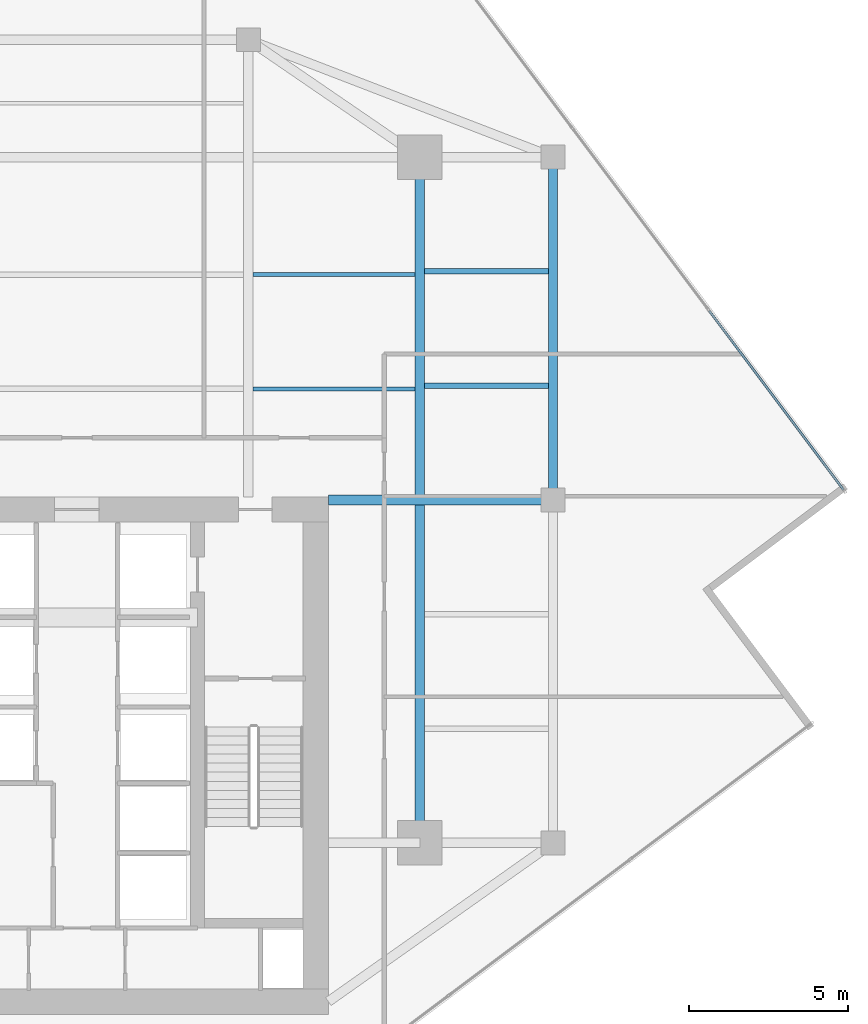
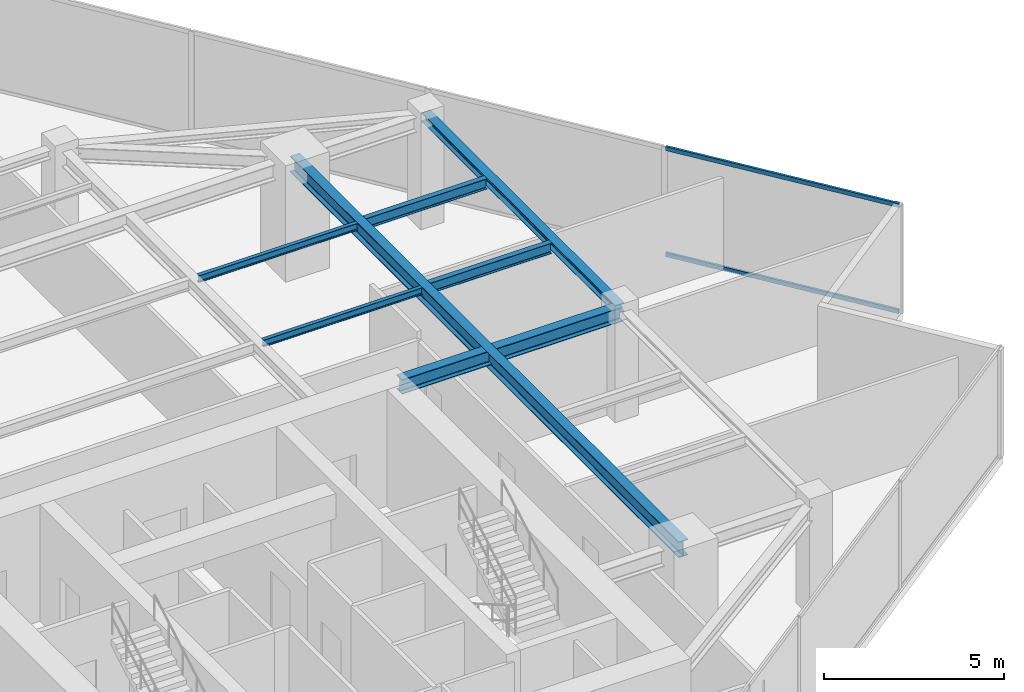
# One storey, part 9 of 21: 7 beams, 2 members, 1 element without a shape of its own.
"""IFC4 building model written with IfcOpenShell, lengths in metres."""

from ifc_helpers import new_model, si_unit, direction, frame, origin, origin_2d, place, context, subcontext, project, spatial, hollow_rectangle, i_section, extrude, source, transform, mapped, material, material_profile, profile_set, type_object, type_shapes, element, aggregate, save


model = new_model("IFC4")

# Units and contexts
model_context = context("Model", 3, precision=1e-05, world=origin(), true_north=direction((0.0, 1.0)))
body_context = subcontext(model_context, "Body", "Model", "MODEL_VIEW")
ifc_project = project(units=[si_unit("LENGTHUNIT", "METRE"), si_unit("AREAUNIT", "SQUARE_METRE"), si_unit("VOLUMEUNIT", "CUBIC_METRE"), si_unit("PLANEANGLEUNIT", "RADIAN"), si_unit("MASSUNIT", "GRAM", prefix="KILO")], contexts=[model_context])

# Site, building, storey
site_placement = place(None, origin())
site = spatial("IfcSite", under=ifc_project, at=site_placement, CompositionType="ELEMENT")
building_placement = place(site_placement, origin())
building = spatial("IfcBuilding", under=site, at=building_placement, Name="Krantzveldt Concourse Tower", CompositionType="ELEMENT")
storey_placement = place(building_placement, frame((0.0, 0.0, 267.39990234375)))
storey = spatial("IfcBuildingStorey", under=building, at=storey_placement, Name="L65", CompositionType="ELEMENT", Elevation=267.39990234375)

# Beams
ifc_material_1 = material(Name="Steel S355JR", Category="steel")
ifc_material_profile_1 = material_profile(ifc_material_1, i_section(OverallWidth=0.300048828125, OverallDepth=0.489990234375, WebThickness=0.011962890625, FlangeThickness=0.02294921875, FilletRadius=0.027099609375, at=origin_2d()), Name="Steel S355JR", Category="steel")
ifc_profile_set_1 = profile_set([ifc_material_profile_1], Name="Steel S355JR - HEA 500")
beam_type_1 = type_object("IfcBeamType", Name="BM-B-HEA500", PredefinedType="BEAM", material=ifc_profile_set_1)
shared_shape_1 = source(origin(), body_context, "Body", "SweptSolid", [
    extrude(i_section(OverallWidth=0.300048828125, OverallDepth=0.489990234375, WebThickness=0.011962890625, FlangeThickness=0.02294921875, FilletRadius=0.027099609375, at=origin_2d()), origin(), (0.0, 0.0, 1.0), 7.080078125),
])
type_shapes(beam_type_1, [shared_shape_1])
beam_1_placement = place(storey_placement, frame((43.919921875, 26.699951171875, 3.425048828125), z_axis=(1.0, 0.0, 0.0), x_axis=(0.0, 1.0, 0.0)))
element("IfcBeam", 1, at=beam_1_placement, inside=storey, type_object=beam_type_1, Name="L65 Tower Girder BG-CE2", PredefinedType="BEAM", context=body_context, shape_type="MappedRepresentation", body=[
    mapped(shared_shape_1, transform((0.0, 0.0, 0.0), x_axis=(1.0, 0.0, 0.0), y_axis=(0.0, 1.0, 0.0), z_axis=(0.0, 0.0, 1.0), scale=1.0)),
])
ifc_material_profile_2 = material_profile(ifc_material_1, i_section(OverallWidth=0.300048828125, OverallDepth=0.5400390625, WebThickness=0.012451171875, FlangeThickness=0.02392578125, FilletRadius=0.027099609375, at=origin_2d()), Name="Steel S355JR", Category="steel")
ifc_profile_set_2 = profile_set([ifc_material_profile_2], Name="Steel S355JR - HEA 550")
beam_type_2 = type_object("IfcBeamType", Name="BM-B-HEA550", PredefinedType="BEAM", material=ifc_profile_set_2)
shared_shape_2 = source(origin(), body_context, "Body", "SweptSolid", [
    extrude(i_section(OverallWidth=0.300048828125, OverallDepth=0.5400390625, WebThickness=0.012451171875, FlangeThickness=0.02392578125, FilletRadius=0.027099609375, at=origin_2d()), origin(), (0.0, 0.0, 1.0), 21.60009765625),
])
type_shapes(beam_type_2, [shared_shape_2])
beam_2_placement = place(storey_placement, frame((46.800048828125, 15.89990234375, 3.400146484375), z_axis=(0.0, 1.0, 0.0), x_axis=(-1.0, 0.0, 0.0)))
element("IfcBeam", 2, at=beam_2_placement, inside=storey, type_object=beam_type_2, Name="L65 Tower Girder BG-ME", PredefinedType="BEAM", context=body_context, shape_type="MappedRepresentation", body=[
    mapped(shared_shape_2, transform((0.0, 0.0, 0.0), x_axis=(1.0, 0.0, 0.0), y_axis=(0.0, 1.0, 0.0), z_axis=(0.0, 0.0, 1.0), scale=1.0)),
])
ifc_material_profile_3 = material_profile(ifc_material_1, i_section(OverallWidth=0.2900390625, OverallDepth=0.2900390625, WebThickness=0.008544921875, FlangeThickness=0.013916015625, FilletRadius=0.027099609375, at=origin_2d()), Name="Steel S355JR", Category="steel")
ifc_profile_set_3 = profile_set([ifc_material_profile_3], Name="Steel S355JR - HEA 300")
beam_type_3 = type_object("IfcBeamType", Name="BM-SP-HEA300", PredefinedType="SPANDREL", material=ifc_profile_set_3)
shared_shape_3 = source(origin(), body_context, "Body", "SweptSolid", [
    extrude(i_section(OverallWidth=0.2900390625, OverallDepth=0.2900390625, WebThickness=0.008544921875, FlangeThickness=0.013916015625, FilletRadius=0.027099609375, at=origin_2d()), origin(), (0.0, 0.0, 1.0), 10.800048828125),
])
type_shapes(beam_type_3, [shared_shape_3])
beam_3_placement = place(storey_placement, frame((51.0, 37.5, 3.525146484375), z_axis=(0.0, -1.0, 0.0), x_axis=(1.0, 0.0, 0.0)))
element("IfcBeam", 3, at=beam_3_placement, inside=storey, type_object=beam_type_3, Name="L65 Tower Girder SP-R06", PredefinedType="SPANDREL", context=body_context, shape_type="MappedRepresentation", body=[
    mapped(shared_shape_3, transform((0.0, 0.0, 0.0), x_axis=(1.0, 0.0, 0.0), y_axis=(0.0, 1.0, 0.0), z_axis=(0.0, 0.0, 1.0), scale=1.0)),
])
ifc_material_profile_4 = material_profile(ifc_material_1, i_section(OverallWidth=0.1201171875, OverallDepth=0.239990234375, WebThickness=0.006103515625, FlangeThickness=0.009765625, FilletRadius=0.014892578125, at=origin_2d()), Name="Steel S355JR", Category="steel")
ifc_profile_set_4 = profile_set([ifc_material_profile_4], Name="Steel S355JR - IPE 240")
beam_type_4 = type_object("IfcBeamType", Name="BM-LN-IPE240", PredefinedType="LINTEL", material=ifc_profile_set_4)
shared_shape_4 = source(origin(), body_context, "Body", "SweptSolid", [
    extrude(i_section(OverallWidth=0.1201171875, OverallDepth=0.239990234375, WebThickness=0.006103515625, FlangeThickness=0.009765625, FilletRadius=0.014892578125, at=origin_2d()), origin(), (0.0, 0.0, 1.0), 5.099853515625),
])
type_shapes(beam_type_4, [shared_shape_4])
for number, where, z_axis, x_axis, name in (
    (4, (41.550048828125, 30.199951171875, 3.550048828125), (1.0, 0.0, 0.0), (0.0, 1.0, 0.0), "L65 Secondary Floor Joist JN-E1"),
    (5, (41.550048828125, 33.800048828125, 3.550048828125), (1.0, 0.0, 0.0), (0.0, 1.0, 0.0), "L65 Secondary Floor Joist JN-E2"),
):
    element("IfcBeam", number, at=place(storey_placement, frame(where, z_axis=z_axis, x_axis=x_axis)), inside=storey, type_object=beam_type_4, Name=name, PredefinedType="LINTEL", context=body_context, shape_type="MappedRepresentation", body=[
        mapped(shared_shape_4, transform((0.0, 0.0, 0.0), x_axis=(1.0, 0.0, 0.0), y_axis=(0.0, 1.0, 0.0), z_axis=(0.0, 0.0, 1.0), scale=1.0)),
    ])
ifc_material_profile_5 = material_profile(ifc_material_1, i_section(OverallWidth=0.169921875, OverallDepth=0.360107421875, WebThickness=0.008056640625, FlangeThickness=0.0126953125, FilletRadius=0.01806640625, at=origin_2d()), Name="Steel S355JR", Category="steel")
ifc_profile_set_5 = profile_set([ifc_material_profile_5], Name="Steel S355JR - IPE 360")
beam_type_5 = type_object("IfcBeamType", Name="BM-J-IPE360", PredefinedType="JOIST", material=ifc_profile_set_5)
shared_shape_5 = source(origin(), body_context, "Body", "SweptSolid", [
    extrude(i_section(OverallWidth=0.169921875, OverallDepth=0.360107421875, WebThickness=0.008056640625, FlangeThickness=0.0126953125, FilletRadius=0.01806640625, at=origin_2d()), origin(), (0.0, 0.0, 1.0), 3.900146484375),
])
type_shapes(beam_type_5, [shared_shape_5])
for number, where, z_axis, x_axis, name in (
    (6, (46.949951171875, 30.300048828125, 3.489990234375), (1.0, 0.0, 0.0), (0.0, 1.0, 0.0), "L65 Secondary Floor Joist JE-3"),
    (7, (46.949951171875, 33.89990234375, 3.489990234375), (1.0, 0.0, 0.0), (0.0, 1.0, 0.0), "L65 Secondary Floor Joist JE-4"),
):
    element("IfcBeam", number, at=place(storey_placement, frame(where, z_axis=z_axis, x_axis=x_axis)), inside=storey, type_object=beam_type_5, Name=name, PredefinedType="JOIST", context=body_context, shape_type="MappedRepresentation", body=[
        mapped(shared_shape_5, transform((0.0, 0.0, 0.0), x_axis=(1.0, 0.0, 0.0), y_axis=(0.0, 1.0, 0.0), z_axis=(0.0, 0.0, 1.0), scale=1.0)),
    ])

# Curtain wall, members
ifc_material_2 = material(Name="Anodised aluminium 6063-T6", Category="aluminium")
curtain_wall_type = type_object("IfcCurtainWallType", Name="CW4", PredefinedType="USERDEFINED", material=ifc_material_2)
curtain_wall_placement = place(storey_placement, origin())
curtain_wall = element("IfcCurtainWall", 8, at=curtain_wall_placement, inside=storey, type_object=curtain_wall_type, Name="CW-L65-F10", ObjectType="UNITISED CURTAIN WALL", PredefinedType="USERDEFINED")
ifc_material_profile_6 = material_profile(ifc_material_2, hollow_rectangle(XDim=0.070068359375, YDim=0.139892578125, WallThickness=0.0048828125, at=origin_2d()), Name="Anodised aluminium 6063-T6", Category="aluminium")
ifc_profile_set_6 = profile_set([ifc_material_profile_6], Name="Anodised aluminium 6063-T6 - ALU-TRAN 140x70x5")
member_type = type_object("IfcMemberType", Name="CW-TRN-150", PredefinedType="USERDEFINED", material=ifc_profile_set_6)
shared_shape_6 = source(origin(), body_context, "Body", "SweptSolid", [
    extrude(hollow_rectangle(XDim=0.070068359375, YDim=0.139892578125, WallThickness=0.0048828125, at=origin_2d()), origin(), (0.0, 0.0, 1.0), 7.044921875),
])
type_shapes(member_type, [shared_shape_6])
member_1_placement = place(storey_placement, frame((60.14599609375, 27.024169921875, 0.03515625), z_axis=(-0.600083168368, 0.799937616969, 0.0), x_axis=(-0.799937616969, -0.600083168368, 0.0)))
member_1 = element("IfcMember", 9, at=member_1_placement, type_object=member_type, Name="CW-Z56 transom 1.1", ObjectType="TRANSOM", PredefinedType="USERDEFINED", context=body_context, shape_type="MappedRepresentation", body=[
    mapped(shared_shape_6, transform((0.0, 0.0, 0.0), x_axis=(1.0, 0.0, 0.0), y_axis=(0.0, 1.0, 0.0), z_axis=(0.0, 0.0, 1.0), scale=1.0)),
])
member_2_placement = place(storey_placement, frame((60.14599609375, 27.024169921875, 3.635009765625), z_axis=(-0.600083168368, 0.799937616969, 0.0), x_axis=(-0.799937616969, -0.600083168368, 0.0)))
member_2 = element("IfcMember", 10, at=member_2_placement, type_object=member_type, Name="CW-Z56 transom 1.2", ObjectType="TRANSOM", PredefinedType="USERDEFINED", context=body_context, shape_type="MappedRepresentation", body=[
    mapped(shared_shape_6, transform((0.0, 0.0, 0.0), x_axis=(1.0, 0.0, 0.0), y_axis=(0.0, 1.0, 0.0), z_axis=(0.0, 0.0, 1.0), scale=1.0)),
])
aggregate(curtain_wall, [member_1, member_2])

save(model, "model.ifc")
